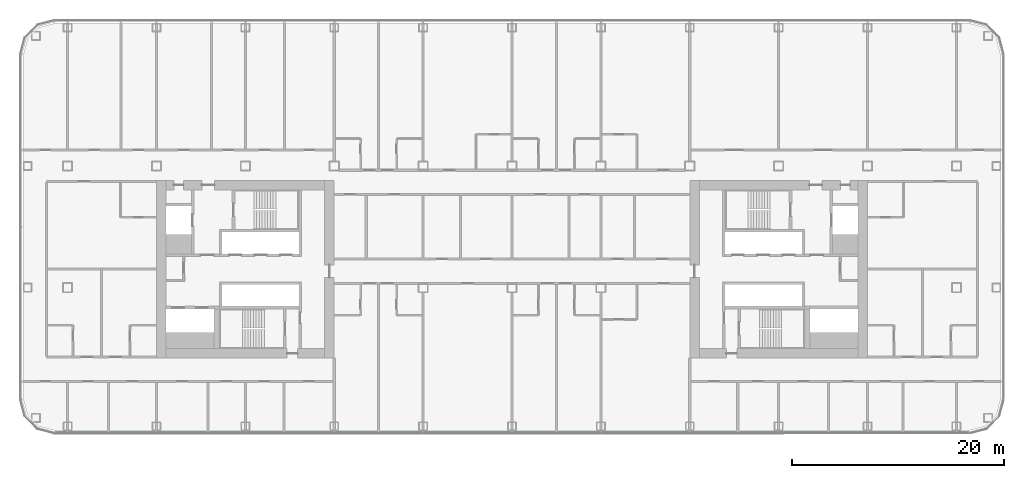
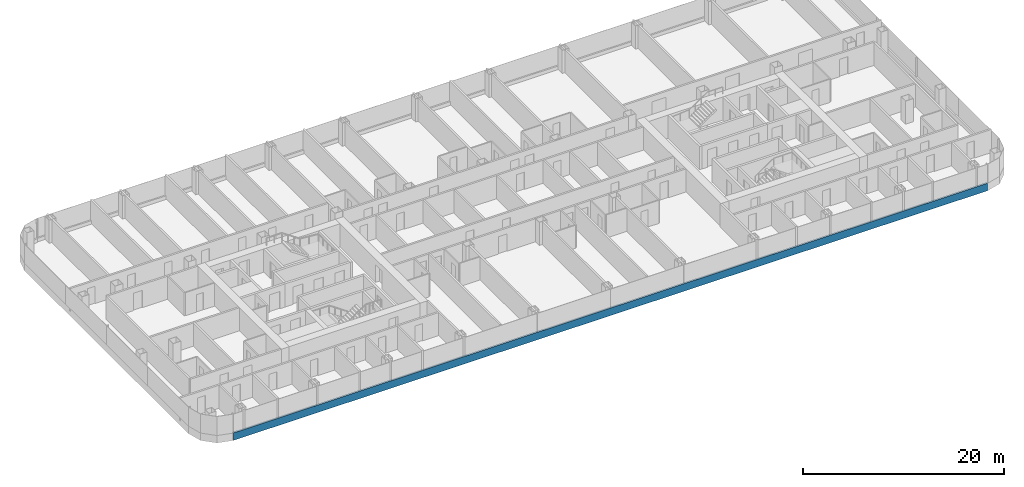
# One storey, part 5 of 29: 1 member, 1 element without a shape of its own.
"""IFC4 building model written with IfcOpenShell, lengths in metres."""

from ifc_helpers import new_model, si_unit, direction, frame, origin, origin_2d, place, context, subcontext, project, spatial, rectangle, extrude, material, layer, layer_set, material_profile, profile_set, type_object, element, aggregate, save


model = new_model("IFC4")

# Units and contexts
model_context = context("Model", 3, precision=1e-05, world=origin(), true_north=direction((0.0, 1.0)))
body_context = subcontext(model_context, "Body", "Model", "MODEL_VIEW")
ifc_project = project(units=[si_unit("LENGTHUNIT", "METRE"), si_unit("AREAUNIT", "SQUARE_METRE"), si_unit("VOLUMEUNIT", "CUBIC_METRE"), si_unit("PLANEANGLEUNIT", "RADIAN"), si_unit("MASSUNIT", "GRAM", prefix="KILO")], contexts=[model_context])

# Site, building, storey
site_placement = place(None, origin())
site = spatial("IfcSite", under=ifc_project, at=site_placement, CompositionType="ELEMENT")
building_placement = place(site_placement, origin())
building = spatial("IfcBuilding", under=site, at=building_placement, Name="Hakoniwa Tower and Hamabe Station Hall", CompositionType="ELEMENT")
storey_placement = place(building_placement, frame((0.0, 0.0, 85.0)))
storey = spatial("IfcBuildingStorey", under=building, at=storey_placement, Name="L23", CompositionType="ELEMENT", Elevation=85.0)

# Curtain wall, member
ifc_material_1 = material(Name="Dark low-e laminated glass", Category="glass")
ifc_layer = layer(ifc_material_1, 0.199951171875)
ifc_layer_set = layer_set([ifc_layer], Name="CW-1 UNITISED GUEST")
curtain_wall_type = type_object("IfcCurtainWallType", Name="CW-1 UNITISED GUEST", PredefinedType="NOTDEFINED", material=ifc_layer_set)
curtain_wall_placement = place(storey_placement, origin())
curtain_wall = element("IfcCurtainWall", 1, at=curtain_wall_placement, inside=storey, type_object=curtain_wall_type, Name="CW-1 curtain wall", PredefinedType="NOTDEFINED")
ifc_material_2 = material(Name="Aluminium 6063-T5 black anodised", Category="aluminium")
ifc_material_profile = material_profile(ifc_material_2, rectangle(XDim=0.199951171875, YDim=0.89990234375, at=origin_2d()), Name="CW SLAB-EDGE BAND 900X200")
ifc_profile_set = profile_set([ifc_material_profile], Name="Aluminium 6063-T5 black anodised")
member_type = type_object("IfcMemberType", Name="CW SLAB-EDGE BAND 900X200", PredefinedType="USERDEFINED", material=ifc_profile_set)
member_placement = place(storey_placement, frame((-43.239501953125, -15.449951171875, -0.10009765625), z_axis=(1.0, 0.0, 0.0), x_axis=(0.0, 1.0, 0.0)))
member = element("IfcMember", 2, at=member_placement, type_object=member_type, Name="CW-1 transom", ObjectType="TRANSOM", PredefinedType="USERDEFINED", context=body_context, shape_type="SweptSolid", body=[
    extrude(rectangle(XDim=0.199951171875, YDim=0.89990234375, at=origin_2d()), origin(), (0.0, 0.0, 1.0), 86.47900390625),
])
aggregate(curtain_wall, [member])

save(model, "model.ifc")
